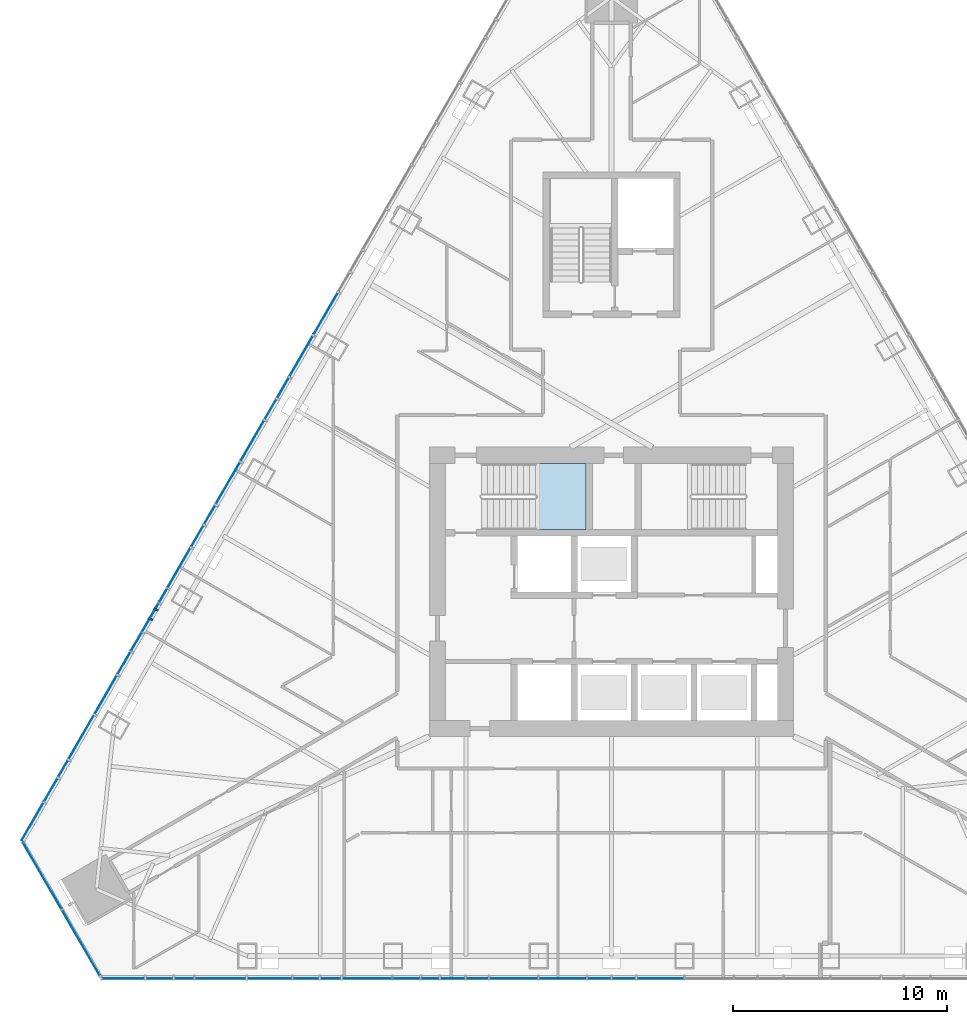
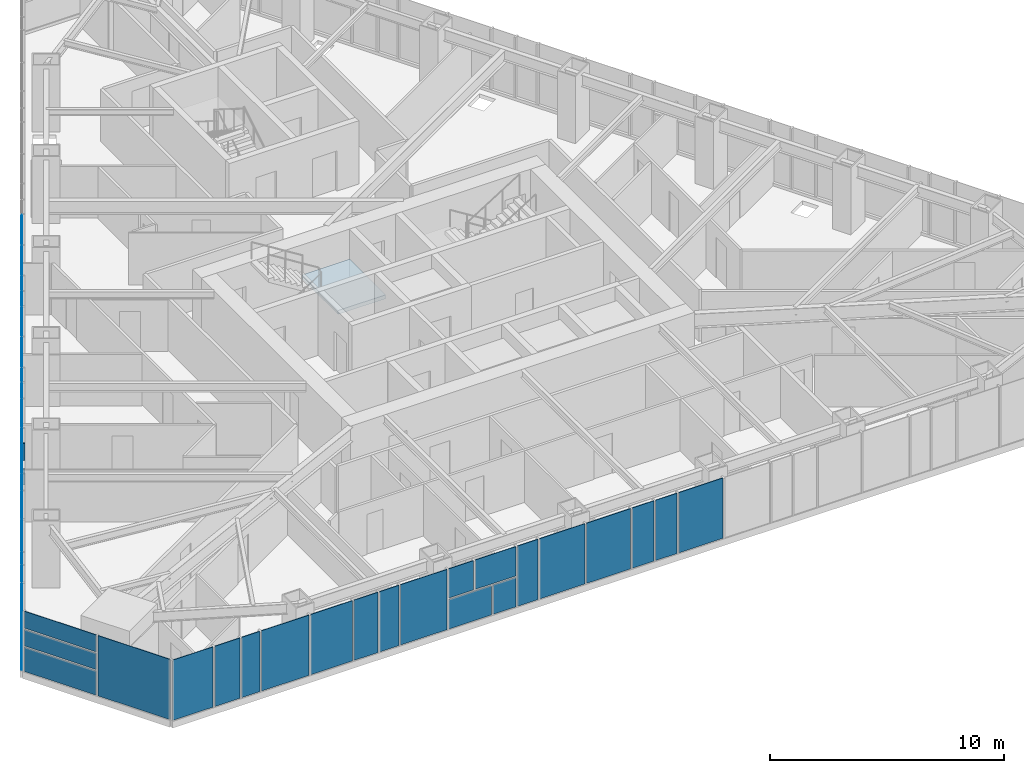
# One storey, part 10 of 19: 44 plates, 2 members, 1 slab, 4 elements without a shape of their own.
"""IFC4 building model written with IfcOpenShell, lengths in metres."""

from ifc_helpers import new_model, si_unit, direction, frame, origin, origin_2d, place, context, subcontext, project, spatial, polyline, rectangle, outline, extrude, material, layer, layer_set, material_profile, profile_set, type_object, element, aggregate, save


model = new_model("IFC4")

# Units and contexts
model_context = context("Model", 3, precision=1e-05, world=origin(), true_north=direction((0.0, 1.0)))
body_context = subcontext(model_context, "Body", "Model", "MODEL_VIEW")
ifc_project = project(units=[si_unit("LENGTHUNIT", "METRE"), si_unit("AREAUNIT", "SQUARE_METRE"), si_unit("VOLUMEUNIT", "CUBIC_METRE"), si_unit("PLANEANGLEUNIT", "RADIAN"), si_unit("MASSUNIT", "GRAM", prefix="KILO")], contexts=[model_context])

# Site, building, storey
site_placement = place(None, origin())
site = spatial("IfcSite", under=ifc_project, at=site_placement, CompositionType="ELEMENT")
building_placement = place(site_placement, origin())
building = spatial("IfcBuilding", under=site, at=building_placement, Name="Firuza Gate Tower and Library", CompositionType="ELEMENT")
storey_placement = place(building_placement, frame((0.0, 0.0, 256.60009765625)))
storey = spatial("IfcBuildingStorey", under=building, at=storey_placement, Name="L60", CompositionType="ELEMENT", Elevation=256.60009765625)

# Curtain wall, members
ifc_material_1 = material(Name="Aluminium 6063-T6", Category="aluminium")
ifc_layer_1 = layer(ifc_material_1, 0.14990234375)
ifc_layer_set_1 = layer_set([ifc_layer_1], Name="Unitised curtain wall, residences")
curtain_wall_type_1 = type_object("IfcCurtainWallType", Name="Unitised curtain wall, residences", PredefinedType="NOTDEFINED", material=ifc_layer_set_1)
placement = place(storey_placement, origin())
curtain_wall_1 = element("IfcCurtainWall", 1, at=placement, inside=storey, type_object=curtain_wall_type_1, Name="CW3 L60 W face", PredefinedType="NOTDEFINED")
ifc_material_2 = material(Name="Aluminium 6063-T6", Category="aluminium")
ifc_material_profile = material_profile(ifc_material_2, rectangle(XDim=0.219970703125, YDim=0.080078125, at=origin_2d()))
ifc_profile_set = profile_set([ifc_material_profile], Name="Aluminium 6063-T6")
member_type = type_object("IfcMemberType", Name="Curtain wall mullion 80x220", PredefinedType="MULLION", material=ifc_profile_set)
member_1_placement = place(storey_placement, frame((53.4765625, 73.73583984375, 1.489990234375), z_axis=(0.0, 0.0, 1.0), x_axis=(0.866025403784, -0.5, 0.0)))
member_1 = element("IfcMember", 2, at=member_1_placement, type_object=member_type, Name="Mullion", PredefinedType="MULLION", context=body_context, shape_type="SweptSolid", body=[
    extrude(rectangle(XDim=0.219970703125, YDim=0.080078125, at=origin_2d()), origin(), (0.0, 0.0, 1.0), 0.844970703125),
])
member_2_placement = place(storey_placement, frame((53.730712890625, 74.17626953125, 2.414794921875), z_axis=(0.0, 0.0, 1.0), x_axis=(0.866025403784, -0.5, 0.0)))
member_2 = element("IfcMember", 3, at=member_2_placement, type_object=member_type, Name="Mullion", PredefinedType="MULLION", context=body_context, shape_type="SweptSolid", body=[
    extrude(rectangle(XDim=0.219970703125, YDim=0.080078125, at=origin_2d()), origin(), (0.0, 0.0, 1.0), 0.885009765625),
])

# Curtain wall, plates
ifc_material_3 = material(Name="Aluminium 6063-T6", Category="aluminium")
ifc_layer_2 = layer(ifc_material_3, 0.14990234375)
ifc_layer_set_2 = layer_set([ifc_layer_2], Name="Corner curtain wall, chamfers")
curtain_wall_type_2 = type_object("IfcCurtainWallType", Name="Corner curtain wall, chamfers", PredefinedType="NOTDEFINED", material=ifc_layer_set_2)
curtain_wall_2 = element("IfcCurtainWall", 4, at=placement, inside=storey, type_object=curtain_wall_type_2, Name="CW4 L60 SW corner", PredefinedType="NOTDEFINED")
ifc_material_4 = material(Name="Fritted glass", Category="glass")
ifc_layer_3 = layer(ifc_material_4, 0.030029296875)
ifc_layer_set_3 = layer_set([ifc_layer_3], Name="Fritted glass unit, corners")
plate_type_1 = type_object("IfcPlateType", Name="Fritted glass unit, corners", PredefinedType="CURTAIN_PANEL", material=ifc_layer_set_3)
plate_1_placement = place(storey_placement, frame((47.5205078125, 63.29541015625, 0.14990234375), z_axis=(-0.866046390552, -0.49996364809, 0.0), x_axis=(0.49996364809, -0.866046390552, 0.0)))
plate_1 = element("IfcPlate", 5, at=plate_1_placement, type_object=plate_type_1, Name="Glass unit", PredefinedType="CURTAIN_PANEL", context=body_context, shape_type="SweptSolid", body=[
    extrude(outline(polyline([(0.0, 0.0), (3.563247342942594, 0.0), (3.563247342942594, 1.260009765625), (0.0, 1.260009765625), (0.0, 0.0)])), origin(), (0.0, 0.0, -1.0), 0.030029296875),
])
plate_2_placement = place(storey_placement, frame((47.5205078125, 63.29541015625, 1.489990234375), z_axis=(-0.866046390552, -0.49996364809, 0.0), x_axis=(0.49996364809, -0.866046390552, 0.0)))
plate_2 = element("IfcPlate", 6, at=plate_2_placement, type_object=plate_type_1, Name="Glass unit", PredefinedType="CURTAIN_PANEL", context=body_context, shape_type="SweptSolid", body=[
    extrude(outline(polyline([(0.0, 0.0), (3.563247342942594, 0.0), (3.563247342942594, 0.844970703125), (0.0, 0.844970703125), (0.0, 0.0)])), origin(), (0.0, 0.0, -1.0), 0.030029296875),
])

curtain_wall_3 = element("IfcCurtainWall", 7, at=placement, inside=storey, type_object=curtain_wall_type_1, Name="CW3 L60 S face", PredefinedType="NOTDEFINED")
ifc_material_5 = material(Name="Fritted glass", Category="glass")
ifc_layer_4 = layer(ifc_material_5, 0.030029296875)
ifc_layer_set_4 = layer_set([ifc_layer_4], Name="Fritted glass unit, residences")
plate_type_2 = type_object("IfcPlateType", Name="Fritted glass unit, residences", PredefinedType="CURTAIN_PANEL", material=ifc_layer_set_4)
plate_3_placement = place(storey_placement, frame((53.27587890625, 56.942138671875, 0.14990234375), z_axis=(0.0, -1.0, 0.0), x_axis=(1.0, 0.0, 0.0)))
plate_3 = element("IfcPlate", 8, at=plate_3_placement, type_object=plate_type_2, Name="Glass unit", PredefinedType="CURTAIN_PANEL", context=body_context, shape_type="SweptSolid", body=[
    extrude(outline(polyline([(0.0, 0.0), (1.2470703125, 0.0), (1.2470703125, 3.14990234375), (0.0, 3.14990234375), (0.0, 0.0)])), origin(), (0.0, 0.0, -1.0), 0.030029296875),
])
plate_4_placement = place(storey_placement, frame((54.602783203125, 56.942138671875, 0.14990234375), z_axis=(0.0, -1.0, 0.0), x_axis=(1.0, 0.0, 0.0)))
plate_4 = element("IfcPlate", 9, at=plate_4_placement, type_object=plate_type_2, Name="Glass unit", PredefinedType="CURTAIN_PANEL", context=body_context, shape_type="SweptSolid", body=[
    extrude(outline(polyline([(0.0, 0.0), (0.892822265625, 0.0), (0.892822265625, 3.14990234375), (0.0, 3.14990234375), (0.0, 0.0)])), origin(), (0.0, 0.0, -1.0), 0.030029296875),
])
plate_5_placement = place(storey_placement, frame((60.1474609375, 56.942138671875, 0.14990234375), z_axis=(0.0, -1.0, 0.0), x_axis=(1.0, 0.0, 0.0)))
plate_5 = element("IfcPlate", 10, at=plate_5_placement, type_object=plate_type_2, Name="Glass unit", PredefinedType="CURTAIN_PANEL", context=body_context, shape_type="SweptSolid", body=[
    extrude(outline(polyline([(0.0, 0.0), (1.187744140625, 0.0), (1.187744140625, 3.14990234375), (0.0, 3.14990234375), (0.0, 0.0)])), origin(), (0.0, 0.0, -1.0), 0.030029296875),
])
plate_6_placement = place(storey_placement, frame((61.415283203125, 56.942138671875, 0.14990234375), z_axis=(0.0, -1.0, 0.0), x_axis=(1.0, 0.0, 0.0)))
plate_6 = element("IfcPlate", 11, at=plate_6_placement, type_object=plate_type_2, Name="Glass unit", PredefinedType="CURTAIN_PANEL", context=body_context, shape_type="SweptSolid", body=[
    extrude(outline(polyline([(0.0, 0.0), (0.95166015625, 0.0), (0.95166015625, 3.14990234375), (0.0, 3.14990234375), (0.0, 0.0)])), origin(), (0.0, 0.0, -1.0), 0.030029296875),
])
plate_7_placement = place(storey_placement, frame((67.018798828125, 56.942138671875, 0.14990234375), z_axis=(0.0, -1.0, 0.0), x_axis=(1.0, 0.0, 0.0)))
plate_7 = element("IfcPlate", 12, at=plate_7_placement, type_object=plate_type_2, Name="Glass unit", PredefinedType="CURTAIN_PANEL", context=body_context, shape_type="SweptSolid", body=[
    extrude(outline(polyline([(0.0, 0.0), (1.12890625, 0.0), (1.12890625, 1.534912109375), (0.0, 1.534912109375), (0.0, 0.0)])), origin(), (0.0, 0.0, -1.0), 0.030029296875),
])
plate_8_placement = place(storey_placement, frame((66.131103515625, 56.942138671875, 1.764892578125), z_axis=(0.0, -1.0, 0.0), x_axis=(1.0, 0.0, 0.0)))
plate_8 = element("IfcPlate", 13, at=plate_8_placement, type_object=plate_type_2, Name="Glass unit", PredefinedType="CURTAIN_PANEL", context=body_context, shape_type="SweptSolid", body=[
    extrude(outline(polyline([(0.0, 0.0), (2.0166015625, 0.0), (2.0166015625, 1.534912109375), (0.0, 1.534912109375), (0.0, 0.0)])), origin(), (0.0, 0.0, -1.0), 0.030029296875),
])
plate_9_placement = place(storey_placement, frame((68.2275390625, 56.942138671875, 0.14990234375), z_axis=(0.0, -1.0, 0.0), x_axis=(1.0, 0.0, 0.0)))
plate_9 = element("IfcPlate", 14, at=plate_9_placement, type_object=plate_type_2, Name="Glass unit", PredefinedType="CURTAIN_PANEL", context=body_context, shape_type="SweptSolid", body=[
    extrude(outline(polyline([(0.0, 0.0), (1.0107421875, 0.0), (1.0107421875, 3.14990234375), (0.0, 3.14990234375), (0.0, 0.0)])), origin(), (0.0, 0.0, -1.0), 0.030029296875),
])
plate_10_placement = place(storey_placement, frame((73.89013671875, 56.942138671875, 0.14990234375), z_axis=(0.0, -1.0, 0.0), x_axis=(1.0, 0.0, 0.0)))
plate_10 = element("IfcPlate", 15, at=plate_10_placement, type_object=plate_type_2, Name="Glass unit", PredefinedType="CURTAIN_PANEL", context=body_context, shape_type="SweptSolid", body=[
    extrude(outline(polyline([(0.0, 0.0), (1.06982421875, 0.0), (1.06982421875, 3.14990234375), (0.0, 3.14990234375), (0.0, 0.0)])), origin(), (0.0, 0.0, -1.0), 0.030029296875),
])
plate_11_placement = place(storey_placement, frame((75.0400390625, 56.942138671875, 0.14990234375), z_axis=(0.0, -1.0, 0.0), x_axis=(1.0, 0.0, 0.0)))
plate_11 = element("IfcPlate", 16, at=plate_11_placement, type_object=plate_type_2, Name="Glass unit", PredefinedType="CURTAIN_PANEL", context=body_context, shape_type="SweptSolid", body=[
    extrude(outline(polyline([(0.0, 0.0), (1.06982421875, 0.0), (1.06982421875, 3.14990234375), (0.0, 3.14990234375), (0.0, 0.0)])), origin(), (0.0, 0.0, -1.0), 0.030029296875),
])

# Plate
plate_12_placement = place(storey_placement, frame((59.916259765625, 84.989990234375, 0.14990234375), z_axis=(-0.866029778435, 0.499992422807, 0.0), x_axis=(-0.499992422807, -0.866029778435, 0.0)))
plate_12 = element("IfcPlate", 17, at=plate_12_placement, type_object=plate_type_2, Name="Glass unit", PredefinedType="CURTAIN_PANEL", context=body_context, shape_type="SweptSolid", body=[
    extrude(outline(polyline([(0.0, 0.0), (1.0698404315257988, 0.0), (1.0698404315257988, 3.1499023437499996), (0.0, 3.1499023437499996), (0.0, 0.0)])), origin(), (0.0, 0.0, -1.0), 0.030029296875),
])

plate_13_placement = place(storey_placement, frame((59.341552734375, 83.994384765625, 0.14990234375), z_axis=(-0.866029778435, 0.499992422807, 0.0), x_axis=(-0.499992422807, -0.866029778435, 0.0)))
plate_13 = element("IfcPlate", 18, at=plate_13_placement, type_object=plate_type_2, Name="Glass unit", PredefinedType="CURTAIN_PANEL", context=body_context, shape_type="SweptSolid", body=[
    extrude(outline(polyline([(0.0, 0.0), (1.0698404315257988, 0.0), (1.0698404315257988, 3.1499023437499996), (0.0, 3.1499023437499996), (0.0, 0.0)])), origin(), (0.0, 0.0, -1.0), 0.030029296875),
])

plate_14_placement = place(storey_placement, frame((56.480712890625, 79.039306640625, 0.14990234375), z_axis=(-0.866064938435, 0.499931517724, 0.0), x_axis=(-0.499931517724, -0.866064938435, 0.0)))
plate_14 = element("IfcPlate", 19, at=plate_14_placement, type_object=plate_type_2, Name="Glass unit", PredefinedType="CURTAIN_PANEL", context=body_context, shape_type="SweptSolid", body=[
    extrude(outline(polyline([(0.0, 0.0), (1.0108806423134982, 0.0), (1.0108806423134982, 3.14990234375), (0.0, 3.14990234375), (0.0, 0.0)])), origin(), (0.0, 0.0, -1.0), 0.030029296875),
])

plate_15_placement = place(storey_placement, frame((55.935302734375, 78.094482421875, 0.14990234375), z_axis=(-0.865998287773, 0.500046963369, 0.0), x_axis=(-0.500046963369, -0.865998287773, 0.0)))
plate_15 = element("IfcPlate", 20, at=plate_15_placement, type_object=plate_type_2, Name="Glass unit", PredefinedType="CURTAIN_PANEL", context=body_context, shape_type="SweptSolid", body=[
    extrude(outline(polyline([(0.0, 0.0), (1.1288002254764324, 0.0), (1.1288002254764324, 3.14990234375), (0.0, 3.14990234375), (0.0, 0.0)])), origin(), (0.0, 0.0, -1.0), 0.030029296875),
])

plate_16_placement = place(storey_placement, frame((54.232177734375, 75.144775390625, 0.14990234375), z_axis=(-0.866128586522, 0.499821239653, 0.0), x_axis=(-0.499821239653, -0.866128586522, 0.0)))
plate_16 = element("IfcPlate", 21, at=plate_16_placement, type_object=plate_type_2, Name="Glass unit", PredefinedType="CURTAIN_PANEL", context=body_context, shape_type="SweptSolid", body=[
    extrude(outline(polyline([(0.0, 0.0), (0.7131455893055922, 0.0), (0.7131455893055922, 1.2600097656250002), (0.0, 1.2600097656250002), (0.0, 0.0)])), origin(), (0.0, 0.0, -1.0), 0.030029296875),
])

plate_17_placement = place(storey_placement, frame((53.044921875, 73.08837890625, 0.14990234375), z_axis=(-0.866040344649, 0.49997412077, 0.0), x_axis=(-0.49997412077, -0.866040344649, 0.0)))
plate_17 = element("IfcPlate", 22, at=plate_17_placement, type_object=plate_type_2, Name="Glass unit", PredefinedType="CURTAIN_PANEL", context=body_context, shape_type="SweptSolid", body=[
    extrude(outline(polyline([(0.0, 0.0), (0.9517094152628764, 0.0), (0.9517094152628764, 1.260009765625), (0.0, 1.260009765625), (0.0, 0.0)])), origin(), (0.0, 0.0, -1.0), 0.030029296875),
])

plate_18_placement = place(storey_placement, frame((53.4130859375, 73.726318359375, 1.489990234375), z_axis=(-0.866072411327, 0.499918571708, 0.0), x_axis=(-0.499918571708, -0.866072411327, 0.0)))
plate_18 = element("IfcPlate", 23, at=plate_18_placement, type_object=plate_type_2, Name="Glass unit", PredefinedType="CURTAIN_PANEL", context=body_context, shape_type="SweptSolid", body=[
    extrude(outline(polyline([(0.0, 0.0), (1.6882632260329138, 0.0), (1.6882632260329138, 0.844970703125), (0.0, 0.844970703125), (0.0, 0.0)])), origin(), (0.0, 0.0, -1.0), 0.030029296875),
])

plate_19_placement = place(storey_placement, frame((53.66748046875, 74.166748046875, 2.414794921875), z_axis=(-0.866039389675, 0.499975774945, 0.0), x_axis=(-0.499975774945, -0.866039389675, 0.0)))
plate_19 = element("IfcPlate", 24, at=plate_19_placement, type_object=plate_type_2, Name="Glass unit", PredefinedType="CURTAIN_PANEL", context=body_context, shape_type="SweptSolid", body=[
    extrude(outline(polyline([(0.0, 0.0), (2.1968837830108843, 0.0), (2.1968837830108843, 0.885009765625), (0.0, 0.885009765625), (0.0, 0.0)])), origin(), (0.0, 0.0, -1.0), 0.030029296875),
])

plate_20_placement = place(storey_placement, frame((52.529052734375, 72.19482421875, 0.14990234375), z_axis=(-0.865969920531, 0.500096087503, 0.0), x_axis=(-0.500096087503, -0.865969920531, 0.0)))
plate_20 = element("IfcPlate", 25, at=plate_20_placement, type_object=plate_type_2, Name="Glass unit", PredefinedType="CURTAIN_PANEL", context=body_context, shape_type="SweptSolid", body=[
    extrude(outline(polyline([(0.0, 0.0), (1.187760023459774, 0.0), (1.187760023459774, 3.14990234375), (0.0, 3.14990234375), (0.0, 0.0)])), origin(), (0.0, 0.0, -1.0), 0.030029296875),
])

plate_21_placement = place(storey_placement, frame((49.609130859375, 67.137451171875, 0.14990234375), z_axis=(-0.86601248742, 0.500022371132, 0.0), x_axis=(-0.500022371132, -0.86601248742, 0.0)))
plate_21 = element("IfcPlate", 26, at=plate_21_placement, type_object=plate_type_2, Name="Glass unit", PredefinedType="CURTAIN_PANEL", context=body_context, shape_type="SweptSolid", body=[
    extrude(outline(polyline([(0.0, 0.0), (0.8925381908206307, 0.0), (0.8925381908206307, 3.14990234375), (0.0, 3.14990234375), (0.0, 0.0)])), origin(), (0.0, 0.0, -1.0), 0.030029296875),
])

plate_22_placement = place(storey_placement, frame((49.122802734375, 66.295166015625, 0.14990234375), z_axis=(-0.86607798872, 0.499908909157, 0.0), x_axis=(-0.499908909157, -0.86607798872, 0.0)))
plate_22 = element("IfcPlate", 27, at=plate_22_placement, type_object=plate_type_2, Name="Glass unit", PredefinedType="CURTAIN_PANEL", context=body_context, shape_type="SweptSolid", body=[
    extrude(outline(polyline([(0.0, 0.0), (1.246809177047567, 0.0), (1.246809177047567, 3.14990234375), (0.0, 3.14990234375), (0.0, 0.0)])), origin(), (0.0, 0.0, -1.0), 0.030029296875),
])

ifc_material_6 = material(Name="Glazed ceramic tile")
ifc_layer_5 = layer(ifc_material_6, 0.030029296875)
ifc_layer_set_5 = layer_set([ifc_layer_5], Name="Opaque ceramic panel, corners")
plate_type_3 = type_object("IfcPlateType", Name="Opaque ceramic panel, corners", PredefinedType="CURTAIN_PANEL", material=ifc_layer_set_5)
plate_23_placement = place(storey_placement, frame((47.5205078125, 63.29541015625, 2.414794921875), z_axis=(-0.866046390552, -0.49996364809, 0.0), x_axis=(0.49996364809, -0.866046390552, 0.0)))
plate_23 = element("IfcPlate", 28, at=plate_23_placement, type_object=plate_type_3, Name="Opaque ceramic panel", PredefinedType="CURTAIN_PANEL", context=body_context, shape_type="SweptSolid", body=[
    extrude(outline(polyline([(0.0, 0.0), (3.563247342942594, 0.0), (3.563247342942594, 0.885009765625), (0.0, 0.885009765625), (0.0, 0.0)])), origin(), (0.0, 0.0, -1.0), 0.030029296875),
])

plate_24_placement = place(storey_placement, frame((49.342041015625, 60.14013671875, 0.14990234375), z_axis=(-0.866016723041, -0.500015035186, 0.0), x_axis=(0.500015035186, -0.866016723041, 0.0)))
plate_24 = element("IfcPlate", 29, at=plate_24_placement, type_object=plate_type_3, Name="Opaque ceramic panel", PredefinedType="CURTAIN_PANEL", context=body_context, shape_type="SweptSolid", body=[
    extrude(outline(polyline([(0.0, 0.0), (3.5633694106530625, 0.0), (3.5633694106530625, 3.14990234375), (0.0, 3.14990234375), (0.0, 0.0)])), origin(), (0.0, 0.0, -1.0), 0.030029296875),
])

aggregate(curtain_wall_2, [plate_1, plate_2, plate_23, plate_24])

ifc_material_7 = material(Name="Glazed ceramic tile")
ifc_layer_6 = layer(ifc_material_7, 0.030029296875)
ifc_layer_set_6 = layer_set([ifc_layer_6], Name="Opaque ceramic panel, residences")
plate_type_4 = type_object("IfcPlateType", Name="Opaque ceramic panel, residences", PredefinedType="CURTAIN_PANEL", material=ifc_layer_set_6)
plate_25_placement = place(storey_placement, frame((51.19677734375, 56.942138671875, 0.14990234375), z_axis=(0.0, -1.0, 0.0), x_axis=(1.0, 0.0, 0.0)))
plate_25 = element("IfcPlate", 30, at=plate_25_placement, type_object=plate_type_4, Name="Opaque ceramic panel", PredefinedType="CURTAIN_PANEL", context=body_context, shape_type="SweptSolid", body=[
    extrude(outline(polyline([(0.0, 0.0), (1.999267578125, 0.0), (1.999267578125, 3.14990234375), (0.0, 3.14990234375), (0.0, 0.0)])), origin(), (0.0, 0.0, -1.0), 0.030029296875),
])

plate_26_placement = place(storey_placement, frame((55.575439453125, 56.942138671875, 0.14990234375), z_axis=(0.0, -1.0, 0.0), x_axis=(1.0, 0.0, 0.0)))
plate_26 = element("IfcPlate", 31, at=plate_26_placement, type_object=plate_type_4, Name="Opaque ceramic panel", PredefinedType="CURTAIN_PANEL", context=body_context, shape_type="SweptSolid", body=[
    extrude(outline(polyline([(0.0, 0.0), (2.353515625, 0.0), (2.353515625, 3.14990234375), (0.0, 3.14990234375), (0.0, 0.0)])), origin(), (0.0, 0.0, -1.0), 0.030029296875),
])

plate_27_placement = place(storey_placement, frame((58.009033203125, 56.942138671875, 0.14990234375), z_axis=(0.0, -1.0, 0.0), x_axis=(1.0, 0.0, 0.0)))
plate_27 = element("IfcPlate", 32, at=plate_27_placement, type_object=plate_type_4, Name="Opaque ceramic panel", PredefinedType="CURTAIN_PANEL", context=body_context, shape_type="SweptSolid", body=[
    extrude(outline(polyline([(0.0, 0.0), (2.058349609375, 0.0), (2.058349609375, 3.14990234375), (0.0, 3.14990234375), (0.0, 0.0)])), origin(), (0.0, 0.0, -1.0), 0.030029296875),
])

plate_28_placement = place(storey_placement, frame((62.447021484375, 56.942138671875, 0.14990234375), z_axis=(0.0, -1.0, 0.0), x_axis=(1.0, 0.0, 0.0)))
plate_28 = element("IfcPlate", 33, at=plate_28_placement, type_object=plate_type_4, Name="Opaque ceramic panel", PredefinedType="CURTAIN_PANEL", context=body_context, shape_type="SweptSolid", body=[
    extrude(outline(polyline([(0.0, 0.0), (2.29443359375, 0.0), (2.29443359375, 3.14990234375), (0.0, 3.14990234375), (0.0, 0.0)])), origin(), (0.0, 0.0, -1.0), 0.030029296875),
])

plate_29_placement = place(storey_placement, frame((64.821533203125, 56.942138671875, 0.14990234375), z_axis=(0.0, -1.0, 0.0), x_axis=(1.0, 0.0, 0.0)))
plate_29 = element("IfcPlate", 34, at=plate_29_placement, type_object=plate_type_4, Name="Opaque ceramic panel", PredefinedType="CURTAIN_PANEL", context=body_context, shape_type="SweptSolid", body=[
    extrude(outline(polyline([(0.0, 0.0), (2.1171875, 0.0), (2.1171875, 1.534912109375), (0.0, 1.534912109375), (0.0, 0.0)])), origin(), (0.0, 0.0, -1.0), 0.030029296875),
])

plate_30_placement = place(storey_placement, frame((64.821533203125, 56.942138671875, 1.764892578125), z_axis=(0.0, -1.0, 0.0), x_axis=(1.0, 0.0, 0.0)))
plate_30 = element("IfcPlate", 35, at=plate_30_placement, type_object=plate_type_4, Name="Opaque ceramic panel", PredefinedType="CURTAIN_PANEL", context=body_context, shape_type="SweptSolid", body=[
    extrude(outline(polyline([(0.0, 0.0), (1.2294921875, 0.0), (1.2294921875, 1.534912109375), (0.0, 1.534912109375), (0.0, 0.0)])), origin(), (0.0, 0.0, -1.0), 0.030029296875),
])

plate_31_placement = place(storey_placement, frame((69.318359375, 56.942138671875, 0.14990234375), z_axis=(0.0, -1.0, 0.0), x_axis=(1.0, 0.0, 0.0)))
plate_31 = element("IfcPlate", 36, at=plate_31_placement, type_object=plate_type_4, Name="Opaque ceramic panel", PredefinedType="CURTAIN_PANEL", context=body_context, shape_type="SweptSolid", body=[
    extrude(outline(polyline([(0.0, 0.0), (2.2353515625, 0.0), (2.2353515625, 3.14990234375), (0.0, 3.14990234375), (0.0, 0.0)])), origin(), (0.0, 0.0, -1.0), 0.030029296875),
])

plate_32_placement = place(storey_placement, frame((71.6337890625, 56.942138671875, 0.14990234375), z_axis=(0.0, -1.0, 0.0), x_axis=(1.0, 0.0, 0.0)))
plate_32 = element("IfcPlate", 37, at=plate_32_placement, type_object=plate_type_4, Name="Opaque ceramic panel", PredefinedType="CURTAIN_PANEL", context=body_context, shape_type="SweptSolid", body=[
    extrude(outline(polyline([(0.0, 0.0), (2.176513671875, 0.0), (2.176513671875, 3.14990234375), (0.0, 3.14990234375), (0.0, 0.0)])), origin(), (0.0, 0.0, -1.0), 0.030029296875),
])

plate_33_placement = place(storey_placement, frame((76.189697265625, 56.942138671875, 0.14990234375), z_axis=(0.0, -1.0, 0.0), x_axis=(1.0, 0.0, 0.0)))
plate_33 = element("IfcPlate", 38, at=plate_33_placement, type_object=plate_type_4, Name="Opaque ceramic panel", PredefinedType="CURTAIN_PANEL", context=body_context, shape_type="SweptSolid", body=[
    extrude(outline(polyline([(0.0, 0.0), (2.176513671875, 0.0), (2.176513671875, 3.14990234375), (0.0, 3.14990234375), (0.0, 0.0)])), origin(), (0.0, 0.0, -1.0), 0.030029296875),
])

aggregate(curtain_wall_3, [plate_25, plate_3, plate_4, plate_26, plate_27, plate_5, plate_6, plate_28, plate_29, plate_7, plate_30, plate_8, plate_9, plate_31, plate_32, plate_10, plate_11, plate_33])

plate_34_placement = place(storey_placement, frame((62.2021484375, 88.949462890625, 0.14990234375), z_axis=(-0.86604373436, 0.499968249168, 0.0), x_axis=(-0.499968249168, -0.86604373436, 0.0)))
plate_34 = element("IfcPlate", 39, at=plate_34_placement, type_object=plate_type_4, Name="Opaque ceramic panel", PredefinedType="CURTAIN_PANEL", context=body_context, shape_type="SweptSolid", body=[
    extrude(outline(polyline([(0.0, 0.0), (2.235493520059667, 0.0), (2.235493520059667, 3.14990234375), (0.0, 3.14990234375), (0.0, 0.0)])), origin(), (0.0, 0.0, -1.0), 0.030029296875),
])

plate_35_placement = place(storey_placement, frame((61.04443359375, 86.944091796875, 0.14990234375), z_axis=(-0.866032402371, 0.499987877897, 0.0), x_axis=(-0.499987877897, -0.866032402371, 0.0)))
plate_35 = element("IfcPlate", 40, at=plate_35_placement, type_object=plate_type_4, Name="Opaque ceramic panel", PredefinedType="CURTAIN_PANEL", context=body_context, shape_type="SweptSolid", body=[
    extrude(outline(polyline([(0.0, 0.0), (2.1763222944553537, 0.0), (2.1763222944553537, 3.14990234375), (0.0, 3.14990234375), (0.0, 0.0)])), origin(), (0.0, 0.0, -1.0), 0.030029296875),
])

plate_36_placement = place(storey_placement, frame((58.7666015625, 82.99853515625, 0.14990234375), z_axis=(-0.865983826272, 0.500072007451, 0.0), x_axis=(-0.500072007451, -0.865983826272, 0.0)))
plate_36 = element("IfcPlate", 41, at=plate_36_placement, type_object=plate_type_4, Name="Opaque ceramic panel", PredefinedType="CURTAIN_PANEL", context=body_context, shape_type="SweptSolid", body=[
    extrude(outline(polyline([(0.0, 0.0), (2.1764443720783646, 0.0), (2.1764443720783646, 3.14990234375), (0.0, 3.14990234375), (0.0, 0.0)])), origin(), (0.0, 0.0, -1.0), 0.030029296875),
])

plate_37_placement = place(storey_placement, frame((57.638427734375, 81.04443359375, 0.14990234375), z_axis=(-0.865996445293, 0.500050154224, 0.0), x_axis=(-0.500050154224, -0.865996445293, 0.0)))
plate_37 = element("IfcPlate", 42, at=plate_37_placement, type_object=plate_type_4, Name="Opaque ceramic panel", PredefinedType="CURTAIN_PANEL", context=body_context, shape_type="SweptSolid", body=[
    extrude(outline(polyline([(0.0, 0.0), (2.235615592618948, 0.0), (2.235615592618948, 3.14990234375), (0.0, 3.14990234375), (0.0, 0.0)])), origin(), (0.0, 0.0, -1.0), 0.030029296875),
])

plate_38_placement = place(storey_placement, frame((55.330810546875, 77.047607421875, 0.14990234375), z_axis=(-0.866020436474, 0.500008603535, 0.0), x_axis=(-0.500008603535, -0.866020436474, 0.0)))
plate_38 = element("IfcPlate", 43, at=plate_38_placement, type_object=plate_type_4, Name="Opaque ceramic panel", PredefinedType="CURTAIN_PANEL", context=body_context, shape_type="SweptSolid", body=[
    extrude(outline(polyline([(0.0, 0.0), (2.117151070031511, 0.0), (2.117151070031511, 3.149902343750001), (0.0, 3.149902343750001), (0.0, 0.0)])), origin(), (0.0, 0.0, -1.0), 0.030029296875),
])

plate_39_placement = place(storey_placement, frame((53.835693359375, 74.4580078125, 0.14990234375), z_axis=(-0.866023117852, 0.500003959331, 0.0), x_axis=(-0.500003959331, -0.866023117852, 0.0)))
plate_39 = element("IfcPlate", 44, at=plate_39_placement, type_object=plate_type_4, Name="Opaque ceramic panel", PredefinedType="CURTAIN_PANEL", context=body_context, shape_type="SweptSolid", body=[
    extrude(outline(polyline([(0.0, 0.0), (1.5014529542529769, 0.0), (1.5014529542529769, 1.260009765625), (0.0, 1.260009765625), (0.0, 0.0)])), origin(), (0.0, 0.0, -1.0), 0.030029296875),
])

plate_40_placement = place(storey_placement, frame((54.232177734375, 75.144775390625, 1.489990234375), z_axis=(-0.86598723706, 0.500066100879, 0.0), x_axis=(-0.500066100879, -0.86598723706, 0.0)))
plate_40 = element("IfcPlate", 45, at=plate_40_placement, type_object=plate_type_4, Name="Opaque ceramic panel", PredefinedType="CURTAIN_PANEL", context=body_context, shape_type="SweptSolid", body=[
    extrude(outline(polyline([(0.0, 0.0), (1.5578995116946284, 0.0), (1.5578995116946284, 0.8449707031250002), (0.0, 0.8449707031250002), (0.0, 0.0)])), origin(), (0.0, 0.0, -1.0), 0.030029296875),
])

plate_41_placement = place(storey_placement, frame((54.232177734375, 75.144775390625, 2.414794921875), z_axis=(-0.866073252199, 0.499917114955, 0.0), x_axis=(-0.499917114955, -0.866073252199, 0.0)))
plate_41 = element("IfcPlate", 46, at=plate_41_placement, type_object=plate_type_4, Name="Opaque ceramic panel", PredefinedType="CURTAIN_PANEL", context=body_context, shape_type="SweptSolid", body=[
    extrude(outline(polyline([(0.0, 0.0), (1.0494903803653033, 0.0), (1.0494903803653033, 0.8850097656250002), (0.0, 0.8850097656250002), (0.0, 0.0)])), origin(), (0.0, 0.0, -1.0), 0.030029296875),
])

plate_42_placement = place(storey_placement, frame((51.89501953125, 71.096923828125, 0.14990234375), z_axis=(-0.8660374388, 0.499979154163, 0.0), x_axis=(-0.499979154163, -0.8660374388, 0.0)))
plate_42 = element("IfcPlate", 47, at=plate_42_placement, type_object=plate_type_4, Name="Opaque ceramic panel", PredefinedType="CURTAIN_PANEL", context=body_context, shape_type="SweptSolid", body=[
    extrude(outline(polyline([(0.0, 0.0), (2.058191278191509, 0.0), (2.058191278191509, 3.14990234375), (0.0, 3.14990234375), (0.0, 0.0)])), origin(), (0.0, 0.0, -1.0), 0.030029296875),
])

plate_43_placement = place(storey_placement, frame((50.825927734375, 69.2451171875, 0.14990234375), z_axis=(-0.866038761455, 0.499976863123, 0.0), x_axis=(-0.499976863123, -0.866038761455, 0.0)))
plate_43 = element("IfcPlate", 48, at=plate_43_placement, type_object=plate_type_4, Name="Opaque ceramic panel", PredefinedType="CURTAIN_PANEL", context=body_context, shape_type="SweptSolid", body=[
    extrude(outline(polyline([(0.0, 0.0), (2.3536245360441104, 0.0), (2.3536245360441104, 3.14990234375), (0.0, 3.14990234375), (0.0, 0.0)])), origin(), (0.0, 0.0, -1.0), 0.030029296875),
])

plate_44_placement = place(storey_placement, frame((48.45947265625, 65.14599609375, 0.14990234375), z_axis=(-0.866002566612, 0.500039553057, 0.0), x_axis=(-0.500039553057, -0.866002566612, 0.0)))
plate_44 = element("IfcPlate", 49, at=plate_44_placement, type_object=plate_type_4, Name="Opaque ceramic panel", PredefinedType="CURTAIN_PANEL", context=body_context, shape_type="SweptSolid", body=[
    extrude(outline(polyline([(0.0, 0.0), (1.9993535576612924, 0.0), (1.9993535576612924, 3.14990234375), (0.0, 3.14990234375), (0.0, 0.0)])), origin(), (0.0, 0.0, -1.0), 0.030029296875),
])

aggregate(curtain_wall_1, [plate_34, plate_35, plate_12, plate_13, plate_36, plate_37, plate_14, plate_15, plate_38, plate_16, plate_39, plate_17, plate_40, plate_18, plate_41, plate_19, member_1, member_2, plate_20, plate_42, plate_43, plate_21, plate_22, plate_44])

# Stair, slab
ifc_material_8 = material(Name="Concrete C35/45", Category="concrete")
stair_type = type_object("IfcStairType", Name="Exit stair ST8", PredefinedType="HALF_TURN_STAIR", material=ifc_material_8)
stair = element("IfcStair", 50, at=placement, inside=storey, type_object=stair_type, Name="L60 Stair ST1", PredefinedType="HALF_TURN_STAIR")
ifc_material_9 = material(Name="Concrete C35/45", Category="concrete")
ifc_layer_7 = layer(ifc_material_9, 0.199951171875)
ifc_layer_set_7 = layer_set([ifc_layer_7], Name="Stair landing 200")
slab_type = type_object("IfcSlabType", Name="Stair landing 200", PredefinedType="LANDING", material=ifc_layer_set_7)
slab_placement = place(storey_placement, frame((0.0, 0.0, 1.5498046875)))
slab = element("IfcSlab", 51, at=slab_placement, type_object=slab_type, Name="ST1 landing 1", PredefinedType="LANDING", context=body_context, shape_type="SweptSolid", body=[
    extrude(outline(polyline([(71.4599609375, 77.89990234375), (73.81005859375, 77.89990234375), (73.81005859375, 80.97998046875), (71.4599609375, 80.97998046875), (71.4599609375, 77.89990234375)])), origin(), (0.0, 0.0, 1.0), 0.2001953125),
])
aggregate(stair, [slab])

save(model, "model.ifc")
